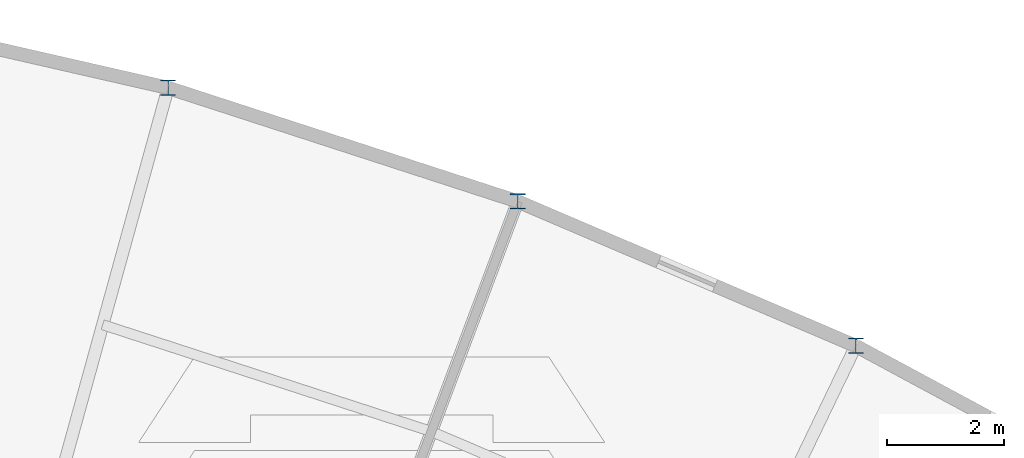
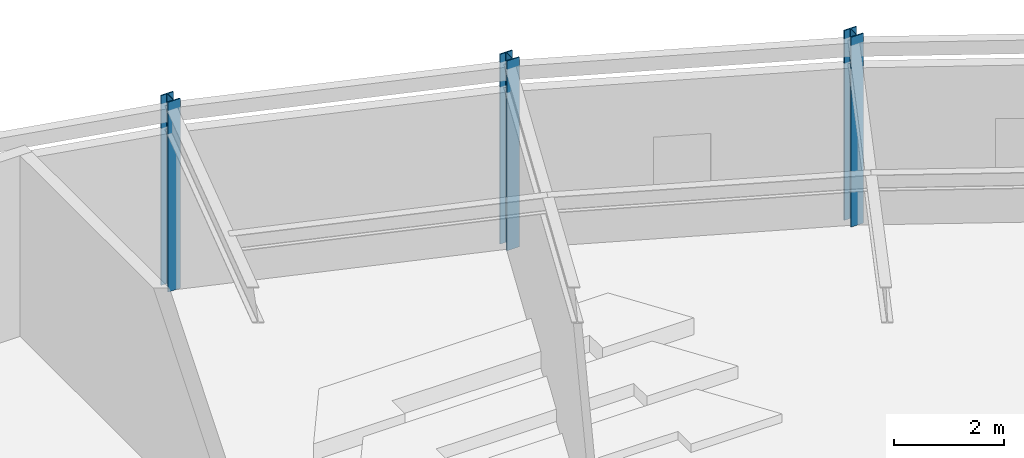
# One storey, part 9 of 54: 3 columns.
"""IFC4 building model written with IfcOpenShell, lengths in metres."""

from ifc_helpers import new_model, si_unit, direction, frame, origin, origin_2d, place, context, subcontext, project, spatial, i_section, extrude, material, material_profile, profile_set, type_object, element, save


model = new_model("IFC4")

# Units and contexts
model_context = context("Model", 3, precision=1e-05, world=origin(), true_north=direction((0.0, 1.0)))
body_context = subcontext(model_context, "Body", "Model", "MODEL_VIEW")
ifc_project = project(units=[si_unit("LENGTHUNIT", "METRE"), si_unit("AREAUNIT", "SQUARE_METRE"), si_unit("VOLUMEUNIT", "CUBIC_METRE"), si_unit("PLANEANGLEUNIT", "RADIAN"), si_unit("MASSUNIT", "GRAM", prefix="KILO")], contexts=[model_context])

# Site, building, storey
site_placement = place(None, origin())
site = spatial("IfcSite", under=ifc_project, at=site_placement, CompositionType="ELEMENT")
building_placement = place(site_placement, origin())
building = spatial("IfcBuilding", under=site, at=building_placement, Name="Selat Folded Stagehouse", CompositionType="ELEMENT")
storey_placement = place(building_placement, frame((0.0, 0.0, 15.0)))
storey = spatial("IfcBuildingStorey", under=building, at=storey_placement, Name="L03", CompositionType="ELEMENT", Elevation=15.0)

# Columns
ifc_material = material(Name="Steel S355", Category="steel")
ifc_material_profile = material_profile(ifc_material, i_section(OverallWidth=0.2587890625, OverallDepth=0.2666015625, WebThickness=0.0126953125, FlangeThickness=0.0205078125, FilletRadius=0.0126953125, at=origin_2d()), Name="UKC 254x254x107")
ifc_profile_set = profile_set([ifc_material_profile], Name="Steel S355")
column_type = type_object("IfcColumnType", Name="COL-UKC-254x254x107", PredefinedType="COLUMN", material=ifc_profile_set)
for number, where, z_axis, x_axis, name in (
    (1, (111.022705078125, 105.477294921875, 0.0), (0.0, 0.0, 1.0), (1.0, 0.0, 0.0), "L03 column STK-V6OUT-10"),
    (2, (116.99609375, 103.536376953125, 0.0), (0.0, 0.0, 1.0), (1.0, 0.0, 0.0), "L03 column STK-V6OUT-11"),
    (3, (122.77197265625, 101.06787109375, 0.0), (0.0, 0.0, 1.0), (1.0, 0.0, 0.0), "L03 column STK-V6OUT-12"),
):
    element("IfcColumn", number, at=place(storey_placement, frame(where, z_axis=z_axis, x_axis=x_axis)), inside=storey, type_object=column_type, Name=name, PredefinedType="COLUMN", context=body_context, shape_type="SweptSolid", body=[
        extrude(i_section(OverallWidth=0.2587890625, OverallDepth=0.2666015625, WebThickness=0.0126953125, FlangeThickness=0.0205078125, FilletRadius=0.0126953125, at=origin_2d()), origin(), (0.0, 0.0, 1.0), 4.199951171875),
    ])

save(model, "model.ifc")
